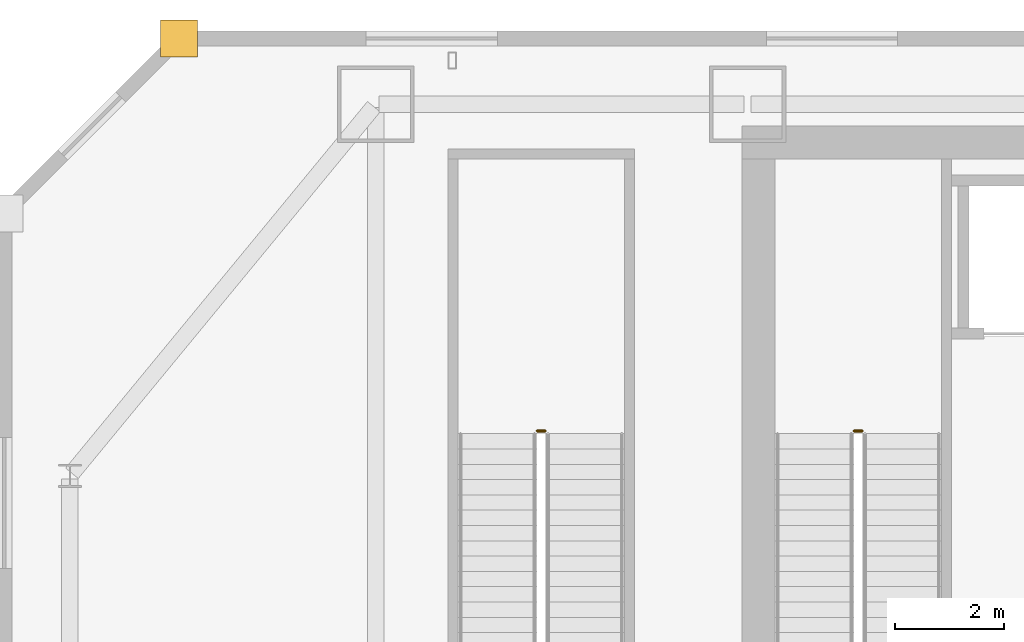
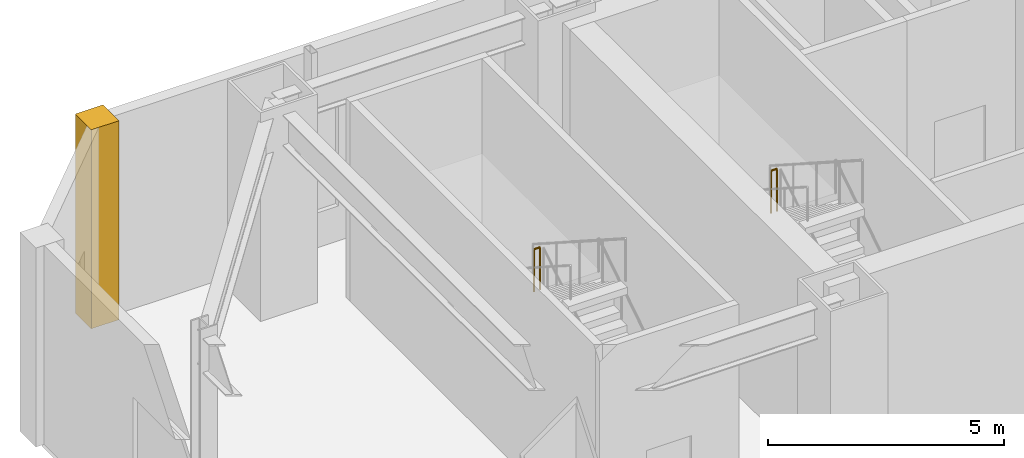
# One storey, part 51 of 53: 2 railings, 1 covering.
"""IFC4 building model written with IfcOpenShell, lengths in metres."""

import ifcopenshell
import ifcopenshell.guid

model = None  # the IFC model being written
_history = None  # IfcOwnerHistory: only IFC2X3 demands one
_inside = {}  # id of a spatial element -> (the spatial element, [elements in it])
_under = {}  # id of a project, library or spatial element -> (it, [spatial elements below it])
_declared = {}  # id of a project -> (the project, [libraries it declares])
_typed = {}  # id of a type object -> (the type object, [elements of that type])
_made_of = {}  # id of a material, layer set ... -> (it, [elements and type objects made of it])


def new_model(schema):
    """Start an empty IFC model of exactly this schema.

    Asked for "IFC4X3", IfcOpenShell would pick the latest addendum, in which some entities
    have other attributes; the version numbers below select the first issue.
    IFC2X3 requires an IfcOwnerHistory on every rooted entity: one is made here for all.
    """
    global model, _history
    if schema == "IFC4X3":
        model = ifcopenshell.file(schema_version=(4, 3, 0, 0))
    else:
        model = ifcopenshell.file(schema=schema)
    _inside.clear()
    _under.clear()
    _declared.clear()
    _typed.clear()
    _made_of.clear()
    _history = None
    if model.schema == "IFC2X3":
        org = make("IfcOrganization", Name="unknown")
        user = make(
            "IfcPersonAndOrganization",
            ThePerson=make("IfcPerson", FamilyName="unknown"),
            TheOrganization=org,
        )
        app = make(
            "IfcApplication",
            ApplicationDeveloper=org,
            Version="unknown",
            ApplicationFullName="unknown",
            ApplicationIdentifier="unknown",
        )
        _history = make(
            "IfcOwnerHistory",
            OwningUser=user,
            OwningApplication=app,
            ChangeAction="ADDED",
            CreationDate=0,
        )
    return model


def make(cls, **values):
    """One entity of the class cls with the attributes given. An attribute that is None is left unset."""
    return model.create_entity(
        cls, **{name: value for name, value in values.items() if value is not None}
    )


def rooted(cls, **values):
    """An entity with a GlobalId (a new one), such as an element, a storey or a relation."""
    return make(cls, GlobalId=ifcopenshell.guid.new(), OwnerHistory=_history, **values)


def si_unit(unit_type, name, prefix=None):
    """IfcSIUnit, for example si_unit("LENGTHUNIT", "METRE", prefix="MILLI")."""
    return make("IfcSIUnit", UnitType=unit_type, Prefix=prefix, Name=name)


def assignment(units):
    """IfcUnitAssignment: the units of a project."""
    return None if units is None else make("IfcUnitAssignment", Units=units)


def point(xyz):
    """IfcCartesianPoint."""
    return None if xyz is None else make("IfcCartesianPoint", Coordinates=xyz)


def direction(xyz):
    """IfcDirection."""
    return None if xyz is None else make("IfcDirection", DirectionRatios=xyz)


def frame(location, z_axis=None, x_axis=None):
    """IfcAxis2Placement3D, a coordinate frame: its origin and axes. An axis left out is left unset."""
    return make(
        "IfcAxis2Placement3D",
        Location=point(location),
        Axis=direction(z_axis),
        RefDirection=direction(x_axis),
    )


def frame_2d(location, x_axis=None):
    """IfcAxis2Placement2D, a coordinate frame in the plane: its origin and x axis."""
    return make(
        "IfcAxis2Placement2D", Location=point(location), RefDirection=direction(x_axis)
    )


def origin():
    """The frame at (0, 0, 0) with its axes left unset."""
    return frame((0.0, 0.0, 0.0))


def origin_2d():
    """The frame at (0, 0) in the plane with its x axis left unset."""
    return frame_2d((0.0, 0.0))


def place(relative_to, where):
    """IfcLocalPlacement: puts the frame where relative to a parent placement (None: the world)."""
    return make(
        "IfcLocalPlacement", PlacementRelTo=relative_to, RelativePlacement=where
    )


def context(
    kind, dimensions, precision=None, world=None, true_north=None, identifier=None
):
    """IfcGeometricRepresentationContext, for example the 3D "Model" context."""
    return make(
        "IfcGeometricRepresentationContext",
        ContextIdentifier=identifier,
        ContextType=kind,
        CoordinateSpaceDimension=dimensions,
        Precision=precision,
        WorldCoordinateSystem=world,
        TrueNorth=true_north,
    )


def subcontext(parent, identifier, kind, view, scale=None):
    """IfcGeometricRepresentationSubContext, for example "Body" below "Model"."""
    return make(
        "IfcGeometricRepresentationSubContext",
        ContextIdentifier=identifier,
        ContextType=kind,
        ParentContext=parent,
        TargetScale=scale,
        TargetView=view,
    )


def project(units=None, contexts=None):
    """IfcProject with its units and contexts."""
    return rooted(
        "IfcProject",
        Name="project",
        RepresentationContexts=contexts,
        UnitsInContext=assignment(units),
    )


def spatial(cls, under=None, at=None, **own):
    """A site, building, storey or space (cls), placed at a placement, below another one or the project."""
    s = rooted(cls, ObjectPlacement=at, **own)
    if under is not None:
        _under.setdefault(under.id(), (under, []))[1].append(s)
    return s


def polyline(points):
    """IfcPolyline through the points."""
    return make("IfcPolyline", Points=[point(p) for p in points])


def profile(cls, at=None, kind="AREA", **sizes):
    """A parametric profile (cls). Its sizes go by their IFC names, for example OverallWidth=200.0."""
    return make(cls, ProfileType=kind, Position=at, **sizes)


def circle(**sizes):
    """IfcCircleProfileDef."""
    return profile("IfcCircleProfileDef", **sizes)


def outline(outer, holes=None, kind="AREA"):
    """IfcArbitraryClosedProfileDef: a profile drawn as a closed curve; with holes, ...WithVoids."""
    if holes is None:
        return make("IfcArbitraryClosedProfileDef", ProfileType=kind, OuterCurve=outer)
    return make(
        "IfcArbitraryProfileDefWithVoids",
        ProfileType=kind,
        OuterCurve=outer,
        InnerCurves=holes,
    )


def extrude(swept, where, along, depth):
    """IfcExtrudedAreaSolid: the profile swept, set in the frame where, extruded along a direction by depth."""
    return make(
        "IfcExtrudedAreaSolid",
        SweptArea=swept,
        Position=where,
        ExtrudedDirection=direction(along),
        Depth=depth,
    )


def shape(context_of_items, identifier, shape_type, items):
    """IfcShapeRepresentation: the items that make up one representation, for example the "Body"."""
    return make(
        "IfcShapeRepresentation",
        ContextOfItems=context_of_items,
        RepresentationIdentifier=identifier,
        RepresentationType=shape_type,
        Items=items,
    )


def material(Name=None, Category=None):
    """IfcMaterial."""
    return make("IfcMaterial", Name=Name, Category=Category)


def layer(
    of_material, thickness, ventilated=None, Name=None, Category=None, Priority=None
):
    """IfcMaterialLayer: one layer of a wall or slab, of a material (None: an air gap)."""
    return make(
        "IfcMaterialLayer",
        Material=of_material,
        LayerThickness=thickness,
        IsVentilated=ventilated,
        Name=Name,
        Category=Category,
        Priority=Priority,
    )


def layer_set(layers, Name=None):
    """IfcMaterialLayerSet."""
    return make("IfcMaterialLayerSet", MaterialLayers=layers, LayerSetName=Name)


def made_of(thing, what):
    """Note that an element or type object is made of a material, layer set ...; save() writes the relation."""
    if what is not None:
        _made_of.setdefault(what.id(), (what, []))[1].append(thing)
    return thing


def type_object(cls, material=None, **own):
    """A type object (cls), such as IfcWallType, which elements share."""
    return made_of(rooted(cls, **own), material)


def element(
    cls,
    number,
    at=None,
    inside=None,
    cuts=None,
    type_object=None,
    material=None,
    context=None,
    identifier="Body",
    shape_type=None,
    held_by="IfcProductDefinitionShape",
    body=None,
    shapes=None,
    **own,
):
    """One element of the class cls, such as IfcWall. Its Tag is "e" and its number.

    at: its placement. inside: the storey or other place that contains it. cuts: it is an
    opening in that element (IfcRelVoidsElement). A single representation is given by context,
    identifier, shape_type and body (its items); several are given by shapes. held_by: the class
    of the entity that holds the representations. save() writes the other relations.
    """
    e = rooted(cls, Tag="e%d" % number, ObjectPlacement=at, **own)
    if body is not None:
        shapes = [shape(context, identifier, shape_type, body)]
    if shapes is not None:
        e.Representation = make(held_by, Representations=shapes)
    if inside is not None:
        _inside.setdefault(inside.id(), (inside, []))[1].append(e)
    if cuts is not None:
        rooted(
            "IfcRelVoidsElement", RelatingBuildingElement=cuts, RelatedOpeningElement=e
        )
    if type_object is not None:
        _typed.setdefault(type_object.id(), (type_object, []))[1].append(e)
    return made_of(e, material)


def aggregate(whole, parts):
    """IfcRelAggregates: a whole, such as a stair, and the parts it consists of."""
    return rooted("IfcRelAggregates", RelatingObject=whole, RelatedObjects=parts)


def save(model, path):
    """Write the relations noted so far, then the file.

    IfcRelAggregates (storeys below a building ...), IfcRelContainedInSpatialStructure (elements
    in a storey), IfcRelDefinesByType, IfcRelAssociatesMaterial and IfcRelDeclares: one each for
    every whole, place, type object, material and project.
    """
    for whole, parts in _under.values():
        aggregate(whole, parts)
    for where, things in _inside.values():
        rooted(
            "IfcRelContainedInSpatialStructure",
            RelatedElements=things,
            RelatingStructure=where,
        )
    for kind, things in _typed.values():
        rooted("IfcRelDefinesByType", RelatedObjects=things, RelatingType=kind)
    for what, things in _made_of.values():
        rooted("IfcRelAssociatesMaterial", RelatedObjects=things, RelatingMaterial=what)
    for by, libraries in _declared.values():
        rooted("IfcRelDeclares", RelatingContext=by, RelatedDefinitions=libraries)
    model.write(path)


model = new_model("IFC4")

# Units and contexts
model_context = context("Model", 3, precision=1e-05, world=origin(), true_north=direction((0.0, 1.0)))
body_context = subcontext(model_context, "Body", "Model", "MODEL_VIEW")
ifc_project = project(units=[si_unit("LENGTHUNIT", "METRE"), si_unit("AREAUNIT", "SQUARE_METRE"), si_unit("VOLUMEUNIT", "CUBIC_METRE"), si_unit("PLANEANGLEUNIT", "RADIAN"), si_unit("MASSUNIT", "GRAM", prefix="KILO")], contexts=[model_context])

# Site, building, storey
site_placement = place(None, origin())
site = spatial("IfcSite", under=ifc_project, at=site_placement, CompositionType="ELEMENT")
building_placement = place(site_placement, origin())
building = spatial("IfcBuilding", under=site, at=building_placement, Name="Saevonmaru Cultural Tower", CompositionType="ELEMENT")
storey_placement = place(building_placement, frame((0.0, 0.0, 22.199951171875)))
storey = spatial("IfcBuildingStorey", under=building, at=storey_placement, Name="L04", CompositionType="ELEMENT", Elevation=22.199951171875)

# Covering
ifc_material_1 = material(Name="Satin Bronze Anodised Aluminium", Category="aluminium")
ifc_layer = layer(ifc_material_1, 0.679931640625, Name="Satin Bronze Anodised Aluminium")
ifc_layer_set = layer_set([ifc_layer], Name="Satin Bronze Anodised Aluminium")
covering_type = type_object("IfcCoveringType", Name="CV-CORNER-CLAD", PredefinedType="CLADDING", material=ifc_layer_set)
covering_placement = place(storey_placement, origin())
element("IfcCovering", 1, at=covering_placement, inside=storey, type_object=covering_type, Name="L04 Podium Bronze Corner Cladding Pier 7", PredefinedType="CLADDING", context=body_context, shape_type="SweptSolid", body=[
    extrude(outline(polyline([(2.860107421875, 55.659912109375), (3.5400390625, 55.659912109375), (3.5400390625, 56.340087890625), (2.860107421875, 56.340087890625), (2.860107421875, 55.659912109375)])), origin(), (0.0, 0.0, 1.0), 5.150146484375),
])

# Railings
ifc_material_2 = material(Name="Architectural Painted Steel", Category="steel")
railing_type = type_object("IfcRailingType", Name="RL-STAIR-GUARD", PredefinedType="GUARDRAIL", material=ifc_material_2)
for number, where, name in (
    (2, (15.699951171875, 48.820068359375, 2.699951171875), "L04 ST-1 stair guard 2"),
    (3, (9.89990234375, 48.820068359375, 2.699951171875), "L04 ST-3 stair guard 2"),
):
    element("IfcRailing", number, at=place(storey_placement, frame(where)), inside=storey, type_object=railing_type, Name=name, PredefinedType="GUARDRAIL", context=body_context, shape_type="SweptSolid", body=[
        extrude(circle(Radius=0.02392578125, at=origin_2d()), frame((0.0, 0.0, 1.09619140625), z_axis=(-1.0, 0.0, 0.0), x_axis=(0.0, -1.0, 0.0)), (0.0, 0.0, 1.0), 0.14990234375),
        extrude(circle(Radius=0.02099609375, at=origin_2d()), origin(), (0.0, 0.0, 1.0), 1.072021484375),
        extrude(circle(Radius=0.02099609375, at=origin_2d()), frame((-0.14990234375, 0.0, 0.0)), (0.0, 0.0, 1.0), 1.072021484375),
    ])

save(model, "model.ifc")
